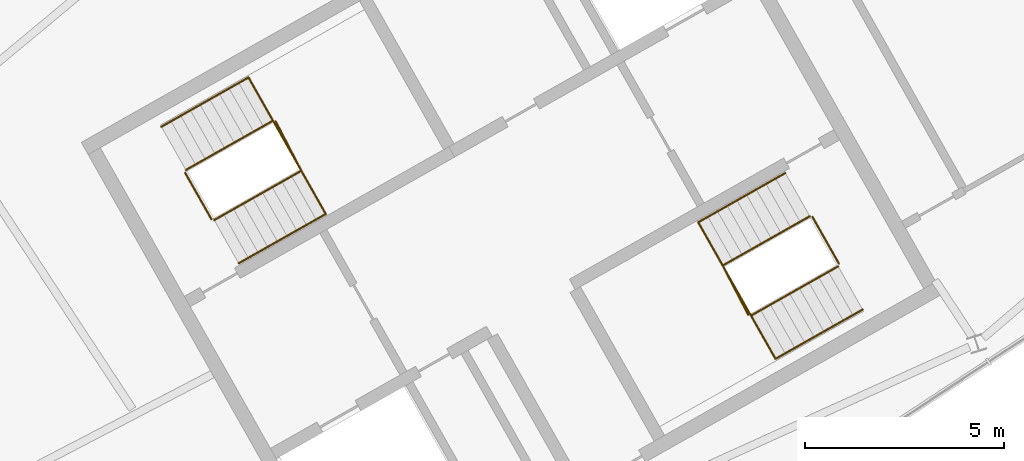
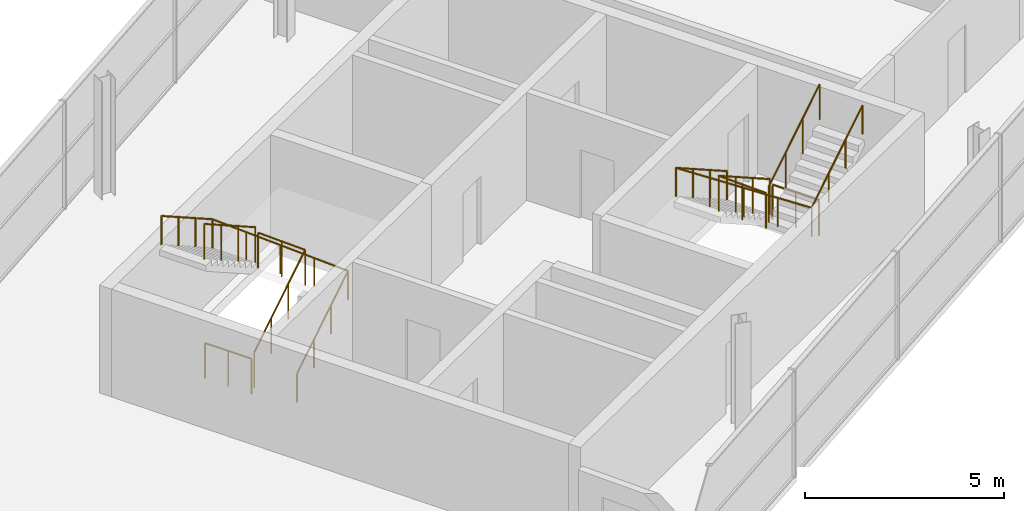
# One storey, part 8 of 8: 8 railings.
"""IFC4 building model written with IfcOpenShell, lengths in metres."""

from ifc_helpers import new_model, si_unit, direction, frame, origin, origin_2d, place, context, subcontext, project, spatial, circle, extrude, material, type_object, element, save


model = new_model("IFC4")

# Units and contexts
model_context = context("Model", 3, precision=1e-05, world=origin(), true_north=direction((0.0, 1.0)))
body_context = subcontext(model_context, "Body", "Model", "MODEL_VIEW")
ifc_project = project(units=[si_unit("LENGTHUNIT", "METRE"), si_unit("AREAUNIT", "SQUARE_METRE"), si_unit("VOLUMEUNIT", "CUBIC_METRE"), si_unit("PLANEANGLEUNIT", "RADIAN"), si_unit("MASSUNIT", "GRAM", prefix="KILO")], contexts=[model_context])

# Site, building, storey
site_placement = place(None, origin())
site = spatial("IfcSite", under=ifc_project, at=site_placement, CompositionType="ELEMENT")
building_placement = place(site_placement, origin())
building = spatial("IfcBuilding", under=site, at=building_placement, Name="Binnacle Exchange Tower", CompositionType="ELEMENT")
storey_placement = place(building_placement, frame((0.0, 0.0, 357.699951171875)))
storey = spatial("IfcBuildingStorey", under=building, at=storey_placement, Name="L82", CompositionType="ELEMENT", Elevation=357.699951171875)

# Railings
ifc_material_1 = material(Name="Steel guard rail", Category="steel")
railing_type_1 = type_object("IfcRailingType", Name="STAIR GUARD 1100", PredefinedType="GUARDRAIL", material=ifc_material_1)
railing_1_placement = place(storey_placement, frame((-43.26171875, 39.71728515625, 0.179931640625)))
element("IfcRailing", 1, at=railing_1_placement, inside=storey, type_object=railing_type_1, Name="L82 STA1 stair guard 1", PredefinedType="GUARDRAIL", context=body_context, shape_type="SweptSolid", body=[
    extrude(circle(Radius=0.02392578125, at=origin_2d()), frame((0.0, 0.0, 1.076171875), z_axis=(0.732112736453, 0.41421739085, 0.540772497674), x_axis=(-0.492430705092, 0.870351653461, 0.0)), (0.0, 0.0, 1.0), 2.995849609375),
    extrude(circle(Radius=0.02392578125, at=origin_2d()), frame((2.193359375, 1.240966796875, 2.6962890625), z_axis=(-0.461100321709, 0.887348011391, 0.0), x_axis=(-0.887348011391, -0.461100321709, 0.0)), (0.0, 0.0, 1.0), 1.40087890625),
    extrude(circle(Radius=0.02099609375, at=origin_2d()), origin(), (0.0, 0.0, 1.0), 1.052001953125),
    extrude(circle(Radius=0.02099609375, at=origin_2d()), frame((0.731201171875, 0.41357421875, 0.5400390625)), (0.0, 0.0, 1.0), 1.052001953125),
    extrude(circle(Radius=0.02099609375, at=origin_2d()), frame((1.462158203125, 0.827392578125, 1.080078125)), (0.0, 0.0, 1.0), 1.052001953125),
    extrude(circle(Radius=0.02099609375, at=origin_2d()), frame((2.193359375, 1.240966796875, 1.6201171875)), (0.0, 0.0, 1.0), 1.052001953125),
    extrude(circle(Radius=0.02099609375, at=origin_2d()), frame((1.870361328125, 1.862548828125, 1.6201171875)), (0.0, 0.0, 1.0), 1.052001953125),
    extrude(circle(Radius=0.02099609375, at=origin_2d()), frame((1.54736328125, 2.484130859375, 1.6201171875)), (0.0, 0.0, 1.0), 1.052001953125),
])
railing_2_placement = place(storey_placement, frame((-41.782470703125, 42.22021484375, 1.97998046875)))
element("IfcRailing", 2, at=railing_2_placement, inside=storey, type_object=railing_type_1, Name="L82 STA1 stair guard 2", PredefinedType="GUARDRAIL", context=body_context, shape_type="SweptSolid", body=[
    extrude(circle(Radius=0.02392578125, at=origin_2d()), frame((0.0, 0.0, 1.076171875), z_axis=(-0.732112736453, -0.41421739085, 0.540772497674), x_axis=(0.492430705092, -0.870351653461, 0.0)), (0.0, 0.0, 1.0), 2.995849609375),
    extrude(circle(Radius=0.02099609375, at=origin_2d()), origin(), (0.0, 0.0, 1.0), 1.052001953125),
    extrude(circle(Radius=0.02099609375, at=origin_2d()), frame((-0.731201171875, -0.41357421875, 0.5400390625)), (0.0, 0.0, 1.0), 1.052001953125),
    extrude(circle(Radius=0.02099609375, at=origin_2d()), frame((-1.462158203125, -0.827392578125, 1.080078125)), (0.0, 0.0, 1.0), 1.052001953125),
    extrude(circle(Radius=0.02099609375, at=origin_2d()), frame((-2.193359375, -1.240966796875, 1.6201171875)), (0.0, 0.0, 1.0), 1.052001953125),
])
railing_3_placement = place(storey_placement, frame((-43.329833984375, 39.736328125, 0.0)))
element("IfcRailing", 3, at=railing_3_placement, inside=storey, type_object=railing_type_1, Name="L82 STA1 stair guard 3", PredefinedType="GUARDRAIL", context=body_context, shape_type="SweptSolid", body=[
    extrude(circle(Radius=0.02392578125, at=origin_2d()), frame((0.0, 0.0, 1.076171875), z_axis=(-0.4924922531, 0.870316827734, 0.0), x_axis=(-0.870316827734, -0.4924922531, 0.0)), (0.0, 0.0, 1.0), 1.349853515625),
    extrude(circle(Radius=0.02099609375, at=origin_2d()), origin(), (0.0, 0.0, 1.0), 1.052001953125),
    extrude(circle(Radius=0.02099609375, at=origin_2d()), frame((-0.33251953125, 0.58740234375, 0.0)), (0.0, 0.0, 1.0), 1.052001953125),
    extrude(circle(Radius=0.02099609375, at=origin_2d()), frame((-0.664794921875, 1.1748046875, 0.0)), (0.0, 0.0, 1.0), 1.052001953125),
])
railing_4_placement = place(storey_placement, frame((-28.265380859375, 39.814453125, 0.179931640625)))
element("IfcRailing", 4, at=railing_4_placement, inside=storey, type_object=railing_type_1, Name="L82 STA2 stair guard 1", PredefinedType="GUARDRAIL", context=body_context, shape_type="SweptSolid", body=[
    extrude(circle(Radius=0.02392578125, at=origin_2d()), frame((0.0, 0.0, 1.076171875), z_axis=(-0.732112736453, -0.41421739085, 0.540772497674), x_axis=(0.492430705092, -0.870351653461, 0.0)), (0.0, 0.0, 1.0), 2.995849609375),
    extrude(circle(Radius=0.02392578125, at=origin_2d()), frame((-2.193359375, -1.240966796875, 2.6962890625), z_axis=(0.461100321709, -0.887348011391, 0.0), x_axis=(0.887348011391, 0.461100321709, 0.0)), (0.0, 0.0, 1.0), 1.40087890625),
    extrude(circle(Radius=0.02099609375, at=origin_2d()), origin(), (0.0, 0.0, 1.0), 1.052001953125),
    extrude(circle(Radius=0.02099609375, at=origin_2d()), frame((-0.731201171875, -0.41357421875, 0.5400390625)), (0.0, 0.0, 1.0), 1.052001953125),
    extrude(circle(Radius=0.02099609375, at=origin_2d()), frame((-1.462158203125, -0.827392578125, 1.080078125)), (0.0, 0.0, 1.0), 1.052001953125),
    extrude(circle(Radius=0.02099609375, at=origin_2d()), frame((-2.193359375, -1.240966796875, 1.6201171875)), (0.0, 0.0, 1.0), 1.052001953125),
    extrude(circle(Radius=0.02099609375, at=origin_2d()), frame((-1.870361328125, -1.862548828125, 1.6201171875)), (0.0, 0.0, 1.0), 1.052001953125),
    extrude(circle(Radius=0.02099609375, at=origin_2d()), frame((-1.54736328125, -2.484130859375, 1.6201171875)), (0.0, 0.0, 1.0), 1.052001953125),
])
railing_5_placement = place(storey_placement, frame((-29.74462890625, 37.3115234375, 1.97998046875)))
element("IfcRailing", 5, at=railing_5_placement, inside=storey, type_object=railing_type_1, Name="L82 STA2 stair guard 2", PredefinedType="GUARDRAIL", context=body_context, shape_type="SweptSolid", body=[
    extrude(circle(Radius=0.02392578125, at=origin_2d()), frame((0.0, 0.0, 1.076171875), z_axis=(0.732074920478, 0.414242104062, 0.540804761471), x_axis=(-0.492472228755, 0.870328158746, 0.0)), (0.0, 0.0, 1.0), 2.995849609375),
    extrude(circle(Radius=0.02099609375, at=origin_2d()), origin(), (0.0, 0.0, 1.0), 1.052001953125),
    extrude(circle(Radius=0.02099609375, at=origin_2d()), frame((0.73095703125, 0.41357421875, 0.5400390625)), (0.0, 0.0, 1.0), 1.052001953125),
    extrude(circle(Radius=0.02099609375, at=origin_2d()), frame((1.462158203125, 0.827392578125, 1.080078125)), (0.0, 0.0, 1.0), 1.052001953125),
    extrude(circle(Radius=0.02099609375, at=origin_2d()), frame((2.193115234375, 1.240966796875, 1.6201171875)), (0.0, 0.0, 1.0), 1.052001953125),
])
railing_6_placement = place(storey_placement, frame((-28.197265625, 39.795654296875, 0.0)))
element("IfcRailing", 6, at=railing_6_placement, inside=storey, type_object=railing_type_1, Name="L82 STA2 stair guard 3", PredefinedType="GUARDRAIL", context=body_context, shape_type="SweptSolid", body=[
    extrude(circle(Radius=0.02392578125, at=origin_2d()), frame((0.0, 0.0, 1.076171875), z_axis=(0.49241474071, -0.870360685654, 0.0), x_axis=(0.870360685654, 0.49241474071, 0.0)), (0.0, 0.0, 1.0), 1.35009765625),
    extrude(circle(Radius=0.02099609375, at=origin_2d()), origin(), (0.0, 0.0, 1.0), 1.052001953125),
    extrude(circle(Radius=0.02099609375, at=origin_2d()), frame((0.33251953125, -0.58740234375, 0.0)), (0.0, 0.0, 1.0), 1.052001953125),
    extrude(circle(Radius=0.02099609375, at=origin_2d()), frame((0.664794921875, -1.175048828125, 0.0)), (0.0, 0.0, 1.0), 1.052001953125),
])
ifc_material_2 = material(Name="Steel handrail", Category="steel")
railing_type_2 = type_object("IfcRailingType", Name="STAIR HANDRAIL 900", PredefinedType="HANDRAIL", material=ifc_material_2)
railing_7_placement = place(storey_placement, frame((-42.646240234375, 38.62939453125, 0.179931640625)))
element("IfcRailing", 7, at=railing_7_placement, inside=storey, type_object=railing_type_2, Name="L82 STA1 stair handrail 1", PredefinedType="HANDRAIL", context=body_context, shape_type="SweptSolid", body=[
    extrude(circle(Radius=0.02392578125, at=origin_2d()), frame((0.0, 0.0, 0.8759765625), z_axis=(0.732112736453, 0.41421739085, 0.540772497674), x_axis=(-0.492430705092, 0.870351653461, 0.0)), (0.0, 0.0, 1.0), 2.995849609375),
    extrude(circle(Radius=0.02392578125, at=origin_2d()), frame((2.193359375, 1.240966796875, 2.49609375), z_axis=(-0.491929959296, 0.869444678906, 0.045506762897), x_axis=(-0.87034633103, -0.492440112159, 0.0)), (0.0, 0.0, 1.0), 3.953857421875),
    extrude(circle(Radius=0.02392578125, at=origin_2d()), frame((0.248291015625, 4.6787109375, 2.67578125), z_axis=(-0.73213744765, -0.414149878557, 0.540790750513), x_axis=(0.492357313618, -0.87039317307, 0.0)), (0.0, 0.0, 1.0), 2.995849609375),
    extrude(circle(Radius=0.02099609375, at=origin_2d()), origin(), (0.0, 0.0, 1.0), 0.851806640625),
    extrude(circle(Radius=0.02099609375, at=origin_2d()), frame((0.731201171875, 0.41357421875, 0.5400390625)), (0.0, 0.0, 1.0), 0.851806640625),
    extrude(circle(Radius=0.02099609375, at=origin_2d()), frame((1.462158203125, 0.827392578125, 1.080078125)), (0.0, 0.0, 1.0), 0.851806640625),
    extrude(circle(Radius=0.02099609375, at=origin_2d()), frame((2.193359375, 1.240966796875, 1.6201171875)), (0.0, 0.0, 1.0), 0.851806640625),
    extrude(circle(Radius=0.02099609375, at=origin_2d()), frame((1.70703125, 2.100341796875, 1.6650390625)), (0.0, 0.0, 1.0), 0.851806640625),
    extrude(circle(Radius=0.02099609375, at=origin_2d()), frame((1.220703125, 2.9599609375, 1.7099609375)), (0.0, 0.0, 1.0), 0.851806640625),
    extrude(circle(Radius=0.02099609375, at=origin_2d()), frame((0.734619140625, 3.8193359375, 1.755126953125)), (0.0, 0.0, 1.0), 0.851806640625),
    extrude(circle(Radius=0.02099609375, at=origin_2d()), frame((0.248291015625, 4.6787109375, 1.800048828125)), (0.0, 0.0, 1.0), 0.851806640625),
    extrude(circle(Radius=0.02099609375, at=origin_2d()), frame((-0.48291015625, 4.26513671875, 2.340087890625)), (0.0, 0.0, 1.0), 0.851806640625),
    extrude(circle(Radius=0.02099609375, at=origin_2d()), frame((-1.2138671875, 3.8515625, 2.880126953125)), (0.0, 0.0, 1.0), 0.851806640625),
    extrude(circle(Radius=0.02099609375, at=origin_2d()), frame((-1.945068359375, 3.43798828125, 3.420166015625)), (0.0, 0.0, 1.0), 0.851806640625),
])
railing_8_placement = place(storey_placement, frame((-28.880859375, 40.90234375, 0.179931640625)))
element("IfcRailing", 8, at=railing_8_placement, inside=storey, type_object=railing_type_2, Name="L82 STA2 stair handrail 1", PredefinedType="HANDRAIL", context=body_context, shape_type="SweptSolid", body=[
    extrude(circle(Radius=0.02392578125, at=origin_2d()), frame((0.0, 0.0, 0.8759765625), z_axis=(-0.73213744765, -0.414149878557, 0.540790750513), x_axis=(0.492357313618, -0.87039317307, 0.0)), (0.0, 0.0, 1.0), 2.995849609375),
    extrude(circle(Radius=0.02392578125, at=origin_2d()), frame((-2.193359375, -1.24072265625, 2.49609375), z_axis=(0.49190355138, -0.869459747776, 0.045504319991), x_axis=(0.870361318571, 0.492413622004, 0.0)), (0.0, 0.0, 1.0), 3.9541015625),
    extrude(circle(Radius=0.02392578125, at=origin_2d()), frame((-0.248291015625, -4.6787109375, 2.67578125), z_axis=(0.732112736453, 0.41421739085, 0.540772497674), x_axis=(-0.492430705092, 0.870351653461, 0.0)), (0.0, 0.0, 1.0), 2.995849609375),
    extrude(circle(Radius=0.02099609375, at=origin_2d()), origin(), (0.0, 0.0, 1.0), 0.851806640625),
    extrude(circle(Radius=0.02099609375, at=origin_2d()), frame((-0.731201171875, -0.41357421875, 0.5400390625)), (0.0, 0.0, 1.0), 0.851806640625),
    extrude(circle(Radius=0.02099609375, at=origin_2d()), frame((-1.462158203125, -0.8271484375, 1.080078125)), (0.0, 0.0, 1.0), 0.851806640625),
    extrude(circle(Radius=0.02099609375, at=origin_2d()), frame((-2.193359375, -1.24072265625, 1.6201171875)), (0.0, 0.0, 1.0), 0.851806640625),
    extrude(circle(Radius=0.02099609375, at=origin_2d()), frame((-1.70703125, -2.10009765625, 1.6650390625)), (0.0, 0.0, 1.0), 0.851806640625),
    extrude(circle(Radius=0.02099609375, at=origin_2d()), frame((-1.220703125, -2.959716796875, 1.7099609375)), (0.0, 0.0, 1.0), 0.851806640625),
    extrude(circle(Radius=0.02099609375, at=origin_2d()), frame((-0.734619140625, -3.8193359375, 1.755126953125)), (0.0, 0.0, 1.0), 0.851806640625),
    extrude(circle(Radius=0.02099609375, at=origin_2d()), frame((-0.248291015625, -4.6787109375, 1.800048828125)), (0.0, 0.0, 1.0), 0.851806640625),
    extrude(circle(Radius=0.02099609375, at=origin_2d()), frame((0.48291015625, -4.26513671875, 2.340087890625)), (0.0, 0.0, 1.0), 0.851806640625),
    extrude(circle(Radius=0.02099609375, at=origin_2d()), frame((1.2138671875, -3.851318359375, 2.880126953125)), (0.0, 0.0, 1.0), 0.851806640625),
    extrude(circle(Radius=0.02099609375, at=origin_2d()), frame((1.945068359375, -3.437744140625, 3.420166015625)), (0.0, 0.0, 1.0), 0.851806640625),
])

save(model, "model.ifc")
